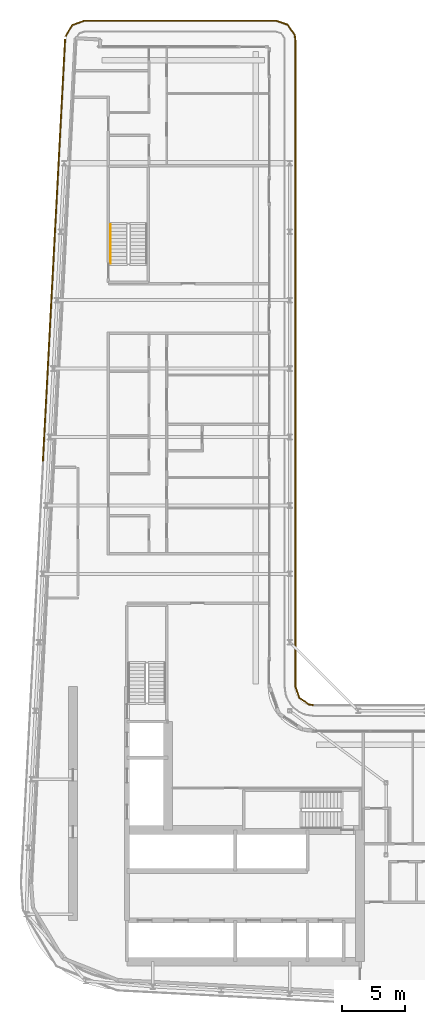
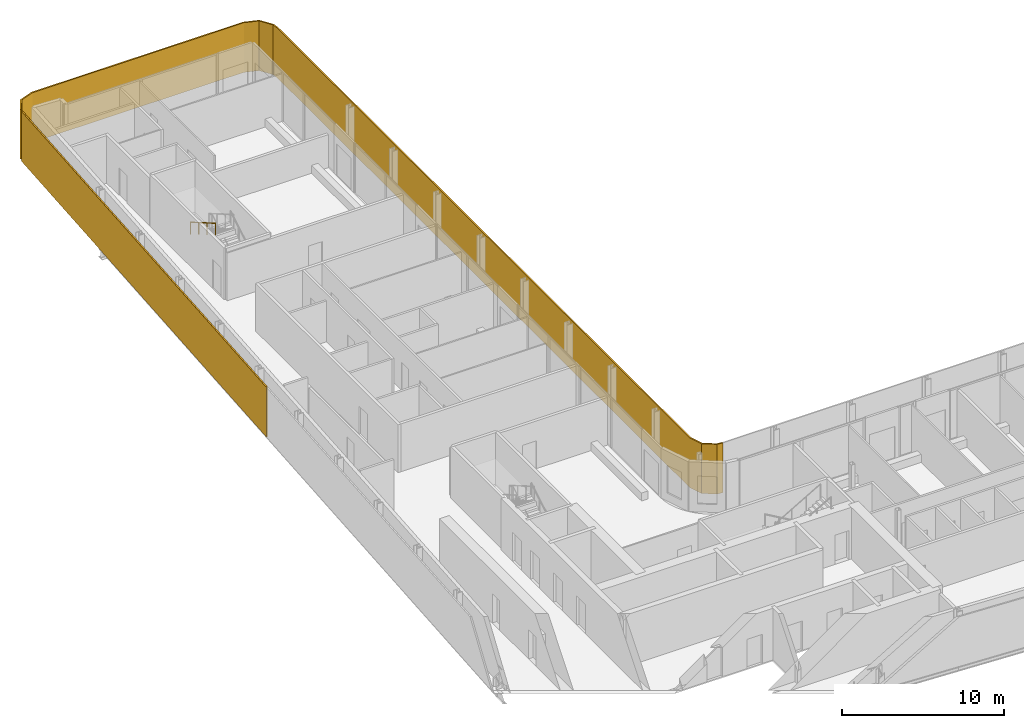
# One storey, part 20 of 22: 2 shading devices, 1 railing.
"""IFC4 building model written with IfcOpenShell, lengths in metres."""

from ifc_helpers import new_model, si_unit, direction, frame, origin, origin_2d, place, context, subcontext, project, spatial, polyline, rectangle, circle, outline, extrude, material, layer, layer_set, type_object, element, save


model = new_model("IFC4")

# Units and contexts
model_context = context("Model", 3, precision=1e-05, world=origin(), true_north=direction((0.0, 1.0)))
body_context = subcontext(model_context, "Body", "Model", "MODEL_VIEW")
ifc_project = project(units=[si_unit("LENGTHUNIT", "METRE"), si_unit("AREAUNIT", "SQUARE_METRE"), si_unit("VOLUMEUNIT", "CUBIC_METRE"), si_unit("PLANEANGLEUNIT", "RADIAN"), si_unit("MASSUNIT", "GRAM", prefix="KILO")], contexts=[model_context])

# Site, building, storey
site_placement = place(None, origin())
site = spatial("IfcSite", under=ifc_project, at=site_placement, CompositionType="ELEMENT")
building_placement = place(site_placement, origin())
building = spatial("IfcBuilding", under=site, at=building_placement, Name="Kheshtan School and Residences Tower", CompositionType="ELEMENT")
storey_placement = place(building_placement, frame((0.0, 0.0, 263.0)))
storey = spatial("IfcBuildingStorey", under=building, at=storey_placement, Name="L62", CompositionType="ELEMENT", Elevation=263.0)

# Shading devices
ifc_material_1 = material(Name="Terracotta baguette, extruded ceramic", Category="masonry")
ifc_layer_1 = layer(ifc_material_1, 0.10009765625)
ifc_layer_set_1 = layer_set([ifc_layer_1], Name="Ledge screen, terracotta baguettes")
shading_device_type_1 = type_object("IfcShadingDeviceType", Name="Ledge screen, terracotta baguettes", PredefinedType="USERDEFINED", material=ifc_layer_set_1)
shading_device_1_placement = place(storey_placement, frame((28.9990234375, 81.93408203125, 0.0), z_axis=(0.0, 0.0, 1.0), x_axis=(0.052562536748, 0.998617634398, 0.0)))
element("IfcShadingDevice", 1, at=shading_device_1_placement, inside=storey, type_object=shading_device_type_1, Name="Screen L62 5", ObjectType="BAGUETTE", PredefinedType="USERDEFINED", context=body_context, shape_type="SweptSolid", body=[
    extrude(rectangle(XDim=33.341064453125, YDim=0.10009765625, at=origin_2d()), origin(), (0.0, 0.0, 1.0), 3.75),
])
ifc_material_2 = material(Name="Terracotta lattice, extruded ceramic", Category="masonry")
ifc_layer_2 = layer(ifc_material_2, 0.10009765625)
ifc_layer_set_2 = layer_set([ifc_layer_2], Name="Loggia screen, terracotta lattice")
shading_device_type_2 = type_object("IfcShadingDeviceType", Name="Loggia screen, terracotta lattice", PredefinedType="USERDEFINED", material=ifc_layer_set_2)
shading_device_2_placement = place(storey_placement, origin())
element("IfcShadingDevice", 2, at=shading_device_2_placement, inside=storey, type_object=shading_device_type_2, Name="Screen L62 1", ObjectType="SCREEN", PredefinedType="USERDEFINED", context=body_context, shape_type="SweptSolid", body=[
    extrude(outline(polyline([(29.949951171875, 98.783935546875), (30.468017578125, 99.656982421875), (31.423095703125, 100.0), (46.5, 100.0), (47.4130859375, 99.68994140625), (47.948974609375, 98.887939453125), (48.0, 98.5), (48.0, 47.5), (48.31005859375, 46.5869140625), (49.112060546875, 46.051025390625), (49.5, 46.0), (49.512939453125, 46.09912109375), (49.14794921875, 46.14697265625), (48.39404296875, 46.65087890625), (48.10009765625, 47.51708984375), (48.10009765625, 98.507080078125), (48.044921875, 98.924072265625), (47.47705078125, 99.77392578125), (46.51708984375, 100.10009765625), (31.406005859375, 100.10009765625), (30.39990234375, 99.739013671875), (29.864013671875, 98.8349609375), (29.949951171875, 98.783935546875)])), origin(), (0.0, 0.0, 1.0), 3.75),
])

# Railing
ifc_material_3 = material(Name="Stainless steel handrail", Category="steel")
railing_type = type_object("IfcRailingType", Name="Stair handrail 900", PredefinedType="HANDRAIL", material=ifc_material_3)
railing_placement = place(storey_placement, frame((33.449951171875, 83.97998046875, 2.112548828125)))
element("IfcRailing", 3, at=railing_placement, inside=storey, type_object=railing_type, Name="L62 ST3 stair handrail 2", PredefinedType="HANDRAIL", context=body_context, shape_type="SweptSolid", body=[
    extrude(circle(Radius=0.02392578125, at=origin_2d()), frame((0.0, 0.0, 0.8759765625), z_axis=(0.0, -0.864920483161, 0.501908913857), x_axis=(1.0, 0.0, 0.0)), (0.0, 0.0, 1.0), 3.56103515625),
    extrude(circle(Radius=0.02099609375, at=origin_2d()), origin(), (0.0, 0.0, 1.0), 0.851806640625),
    extrude(circle(Radius=0.02099609375, at=origin_2d()), frame((0.0, -1.026611328125, 0.595703125)), (0.0, 0.0, 1.0), 0.851806640625),
    extrude(circle(Radius=0.02099609375, at=origin_2d()), frame((0.0, -2.053466796875, 1.191650390625)), (0.0, 0.0, 1.0), 0.851806640625),
    extrude(circle(Radius=0.02099609375, at=origin_2d()), frame((0.0, -3.080078125, 1.787353515625)), (0.0, 0.0, 1.0), 0.851806640625),
])

save(model, "model.ifc")
